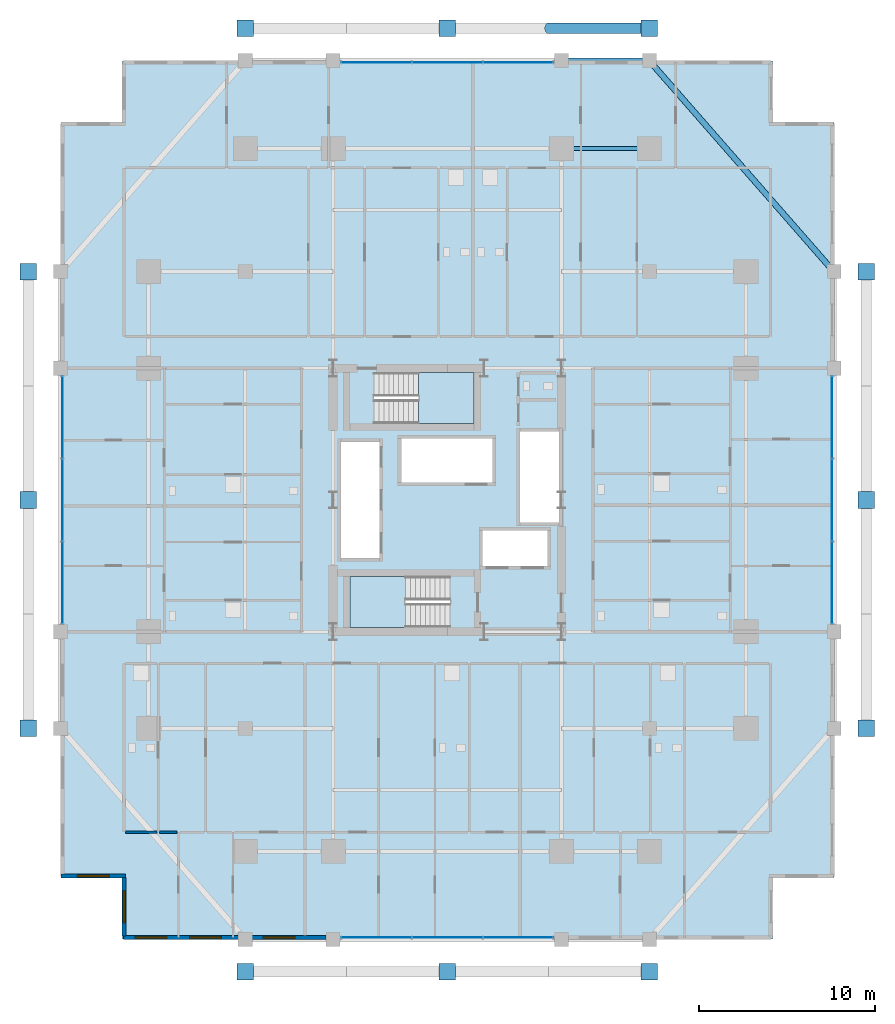
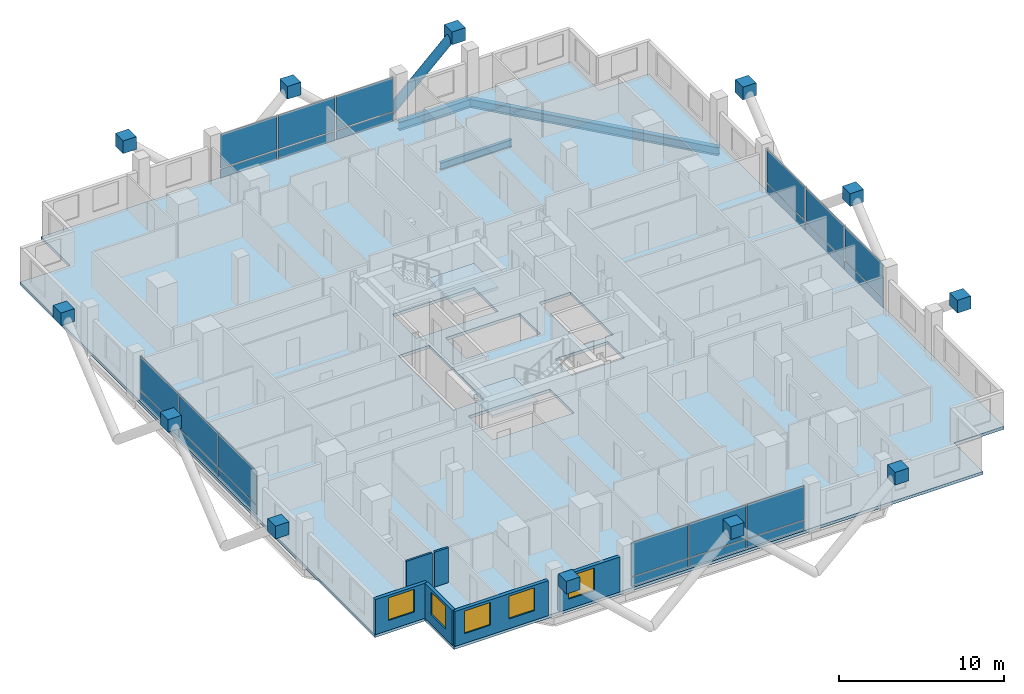
# One storey, part 16 of 24: 36 plates, 6 walls, 5 windows, 3 beams, 3 slabs, 1 member, 5 openings, 6 elements without a shape of their own.
"""IFC4 building model written with IfcOpenShell, lengths in metres."""

import ifcopenshell
import ifcopenshell.guid

model = None  # the IFC model being written
_history = None  # IfcOwnerHistory: only IFC2X3 demands one
_inside = {}  # id of a spatial element -> (the spatial element, [elements in it])
_under = {}  # id of a project, library or spatial element -> (it, [spatial elements below it])
_declared = {}  # id of a project -> (the project, [libraries it declares])
_typed = {}  # id of a type object -> (the type object, [elements of that type])
_made_of = {}  # id of a material, layer set ... -> (it, [elements and type objects made of it])


def new_model(schema):
    """Start an empty IFC model of exactly this schema.

    Asked for "IFC4X3", IfcOpenShell would pick the latest addendum, in which some entities
    have other attributes; the version numbers below select the first issue.
    IFC2X3 requires an IfcOwnerHistory on every rooted entity: one is made here for all.
    """
    global model, _history
    if schema == "IFC4X3":
        model = ifcopenshell.file(schema_version=(4, 3, 0, 0))
    else:
        model = ifcopenshell.file(schema=schema)
    _inside.clear()
    _under.clear()
    _declared.clear()
    _typed.clear()
    _made_of.clear()
    _history = None
    if model.schema == "IFC2X3":
        org = make("IfcOrganization", Name="unknown")
        user = make(
            "IfcPersonAndOrganization",
            ThePerson=make("IfcPerson", FamilyName="unknown"),
            TheOrganization=org,
        )
        app = make(
            "IfcApplication",
            ApplicationDeveloper=org,
            Version="unknown",
            ApplicationFullName="unknown",
            ApplicationIdentifier="unknown",
        )
        _history = make(
            "IfcOwnerHistory",
            OwningUser=user,
            OwningApplication=app,
            ChangeAction="ADDED",
            CreationDate=0,
        )
    return model


def make(cls, **values):
    """One entity of the class cls with the attributes given. An attribute that is None is left unset."""
    return model.create_entity(
        cls, **{name: value for name, value in values.items() if value is not None}
    )


def rooted(cls, **values):
    """An entity with a GlobalId (a new one), such as an element, a storey or a relation."""
    return make(cls, GlobalId=ifcopenshell.guid.new(), OwnerHistory=_history, **values)


def si_unit(unit_type, name, prefix=None):
    """IfcSIUnit, for example si_unit("LENGTHUNIT", "METRE", prefix="MILLI")."""
    return make("IfcSIUnit", UnitType=unit_type, Prefix=prefix, Name=name)


def assignment(units):
    """IfcUnitAssignment: the units of a project."""
    return None if units is None else make("IfcUnitAssignment", Units=units)


def point(xyz):
    """IfcCartesianPoint."""
    return None if xyz is None else make("IfcCartesianPoint", Coordinates=xyz)


def direction(xyz):
    """IfcDirection."""
    return None if xyz is None else make("IfcDirection", DirectionRatios=xyz)


def frame(location, z_axis=None, x_axis=None):
    """IfcAxis2Placement3D, a coordinate frame: its origin and axes. An axis left out is left unset."""
    return make(
        "IfcAxis2Placement3D",
        Location=point(location),
        Axis=direction(z_axis),
        RefDirection=direction(x_axis),
    )


def frame_2d(location, x_axis=None):
    """IfcAxis2Placement2D, a coordinate frame in the plane: its origin and x axis."""
    return make(
        "IfcAxis2Placement2D", Location=point(location), RefDirection=direction(x_axis)
    )


def origin():
    """The frame at (0, 0, 0) with its axes left unset."""
    return frame((0.0, 0.0, 0.0))


def origin_2d():
    """The frame at (0, 0) in the plane with its x axis left unset."""
    return frame_2d((0.0, 0.0))


def place(relative_to, where):
    """IfcLocalPlacement: puts the frame where relative to a parent placement (None: the world)."""
    return make(
        "IfcLocalPlacement", PlacementRelTo=relative_to, RelativePlacement=where
    )


def context(
    kind, dimensions, precision=None, world=None, true_north=None, identifier=None
):
    """IfcGeometricRepresentationContext, for example the 3D "Model" context."""
    return make(
        "IfcGeometricRepresentationContext",
        ContextIdentifier=identifier,
        ContextType=kind,
        CoordinateSpaceDimension=dimensions,
        Precision=precision,
        WorldCoordinateSystem=world,
        TrueNorth=true_north,
    )


def subcontext(parent, identifier, kind, view, scale=None):
    """IfcGeometricRepresentationSubContext, for example "Body" below "Model"."""
    return make(
        "IfcGeometricRepresentationSubContext",
        ContextIdentifier=identifier,
        ContextType=kind,
        ParentContext=parent,
        TargetScale=scale,
        TargetView=view,
    )


def project(units=None, contexts=None):
    """IfcProject with its units and contexts."""
    return rooted(
        "IfcProject",
        Name="project",
        RepresentationContexts=contexts,
        UnitsInContext=assignment(units),
    )


def spatial(cls, under=None, at=None, **own):
    """A site, building, storey or space (cls), placed at a placement, below another one or the project."""
    s = rooted(cls, ObjectPlacement=at, **own)
    if under is not None:
        _under.setdefault(under.id(), (under, []))[1].append(s)
    return s


def polyline(points):
    """IfcPolyline through the points."""
    return make("IfcPolyline", Points=[point(p) for p in points])


def profile(cls, at=None, kind="AREA", **sizes):
    """A parametric profile (cls). Its sizes go by their IFC names, for example OverallWidth=200.0."""
    return make(cls, ProfileType=kind, Position=at, **sizes)


def rectangle(**sizes):
    """IfcRectangleProfileDef."""
    return profile("IfcRectangleProfileDef", **sizes)


def hollow_circle(**sizes):
    """IfcCircleHollowProfileDef."""
    return profile("IfcCircleHollowProfileDef", **sizes)


def i_section(**sizes):
    """IfcIShapeProfileDef."""
    return profile("IfcIShapeProfileDef", **sizes)


def outline(outer, holes=None, kind="AREA"):
    """IfcArbitraryClosedProfileDef: a profile drawn as a closed curve; with holes, ...WithVoids."""
    if holes is None:
        return make("IfcArbitraryClosedProfileDef", ProfileType=kind, OuterCurve=outer)
    return make(
        "IfcArbitraryProfileDefWithVoids",
        ProfileType=kind,
        OuterCurve=outer,
        InnerCurves=holes,
    )


def extrude(swept, where, along, depth):
    """IfcExtrudedAreaSolid: the profile swept, set in the frame where, extruded along a direction by depth."""
    return make(
        "IfcExtrudedAreaSolid",
        SweptArea=swept,
        Position=where,
        ExtrudedDirection=direction(along),
        Depth=depth,
    )


def shape(context_of_items, identifier, shape_type, items):
    """IfcShapeRepresentation: the items that make up one representation, for example the "Body"."""
    return make(
        "IfcShapeRepresentation",
        ContextOfItems=context_of_items,
        RepresentationIdentifier=identifier,
        RepresentationType=shape_type,
        Items=items,
    )


def material(Name=None, Category=None):
    """IfcMaterial."""
    return make("IfcMaterial", Name=Name, Category=Category)


def layer(
    of_material, thickness, ventilated=None, Name=None, Category=None, Priority=None
):
    """IfcMaterialLayer: one layer of a wall or slab, of a material (None: an air gap)."""
    return make(
        "IfcMaterialLayer",
        Material=of_material,
        LayerThickness=thickness,
        IsVentilated=ventilated,
        Name=Name,
        Category=Category,
        Priority=Priority,
    )


def layer_set(layers, Name=None):
    """IfcMaterialLayerSet."""
    return make("IfcMaterialLayerSet", MaterialLayers=layers, LayerSetName=Name)


def material_profile(
    of_material, cross_section, Name=None, Category=None, Priority=None
):
    """IfcMaterialProfile: a cross section and its material."""
    return make(
        "IfcMaterialProfile",
        Name=Name,
        Material=of_material,
        Profile=cross_section,
        Priority=Priority,
        Category=Category,
    )


def profile_set(profiles, Name=None, composite=None):
    """IfcMaterialProfileSet."""
    return make(
        "IfcMaterialProfileSet",
        Name=Name,
        MaterialProfiles=profiles,
        CompositeProfile=composite,
    )


def made_of(thing, what):
    """Note that an element or type object is made of a material, layer set ...; save() writes the relation."""
    if what is not None:
        _made_of.setdefault(what.id(), (what, []))[1].append(thing)
    return thing


def type_object(cls, material=None, **own):
    """A type object (cls), such as IfcWallType, which elements share."""
    return made_of(rooted(cls, **own), material)


def element(
    cls,
    number,
    at=None,
    inside=None,
    cuts=None,
    type_object=None,
    material=None,
    context=None,
    identifier="Body",
    shape_type=None,
    held_by="IfcProductDefinitionShape",
    body=None,
    shapes=None,
    **own,
):
    """One element of the class cls, such as IfcWall. Its Tag is "e" and its number.

    at: its placement. inside: the storey or other place that contains it. cuts: it is an
    opening in that element (IfcRelVoidsElement). A single representation is given by context,
    identifier, shape_type and body (its items); several are given by shapes. held_by: the class
    of the entity that holds the representations. save() writes the other relations.
    """
    e = rooted(cls, Tag="e%d" % number, ObjectPlacement=at, **own)
    if body is not None:
        shapes = [shape(context, identifier, shape_type, body)]
    if shapes is not None:
        e.Representation = make(held_by, Representations=shapes)
    if inside is not None:
        _inside.setdefault(inside.id(), (inside, []))[1].append(e)
    if cuts is not None:
        rooted(
            "IfcRelVoidsElement", RelatingBuildingElement=cuts, RelatedOpeningElement=e
        )
    if type_object is not None:
        _typed.setdefault(type_object.id(), (type_object, []))[1].append(e)
    return made_of(e, material)


def fill(opening, filler):
    """IfcRelFillsElement: the door or window that sits in an opening."""
    return rooted(
        "IfcRelFillsElement",
        RelatingOpeningElement=opening,
        RelatedBuildingElement=filler,
    )


def aggregate(whole, parts):
    """IfcRelAggregates: a whole, such as a stair, and the parts it consists of."""
    return rooted("IfcRelAggregates", RelatingObject=whole, RelatedObjects=parts)


def save(model, path):
    """Write the relations noted so far, then the file.

    IfcRelAggregates (storeys below a building ...), IfcRelContainedInSpatialStructure (elements
    in a storey), IfcRelDefinesByType, IfcRelAssociatesMaterial and IfcRelDeclares: one each for
    every whole, place, type object, material and project.
    """
    for whole, parts in _under.values():
        aggregate(whole, parts)
    for where, things in _inside.values():
        rooted(
            "IfcRelContainedInSpatialStructure",
            RelatedElements=things,
            RelatingStructure=where,
        )
    for kind, things in _typed.values():
        rooted("IfcRelDefinesByType", RelatedObjects=things, RelatingType=kind)
    for what, things in _made_of.values():
        rooted("IfcRelAssociatesMaterial", RelatedObjects=things, RelatingMaterial=what)
    for by, libraries in _declared.values():
        rooted("IfcRelDeclares", RelatingContext=by, RelatedDefinitions=libraries)
    model.write(path)


model = new_model("IFC4")

# Units and contexts
model_context = context("Model", 3, precision=1e-05, world=origin(), true_north=direction((0.0, 1.0)))
body_context = subcontext(model_context, "Body", "Model", "MODEL_VIEW")
ifc_project = project(units=[si_unit("LENGTHUNIT", "METRE"), si_unit("AREAUNIT", "SQUARE_METRE"), si_unit("VOLUMEUNIT", "CUBIC_METRE"), si_unit("PLANEANGLEUNIT", "RADIAN"), si_unit("MASSUNIT", "GRAM", prefix="KILO")], contexts=[model_context])

# Site, building, storey
site_placement = place(None, origin())
site = spatial("IfcSite", under=ifc_project, at=site_placement, CompositionType="ELEMENT")
building_placement = place(site_placement, origin())
building = spatial("IfcBuilding", under=site, at=building_placement, Name="Barlavira Tower and Art Museum", CompositionType="ELEMENT")
storey_placement = place(building_placement, frame((0.0, 0.0, 90.0)))
storey = spatial("IfcBuildingStorey", under=building, at=storey_placement, Name="L22", CompositionType="ELEMENT", Elevation=90.0)

# Member
ifc_material_1 = material(Name="Steel S355", Category="steel")
ifc_material_profile_1 = material_profile(ifc_material_1, hollow_circle(Radius=0.304931640625, WallThickness=0.028076171875, at=origin_2d()), Name="CHS 610.0x28.0")
ifc_profile_set_1 = profile_set([ifc_material_profile_1], Name="Steel S355")
member_type = type_object("IfcMemberType", Name="Pale-Metal Exoskeleton Diagrid Tube CHS 610x28 Steel S355", PredefinedType="BRACE", material=ifc_profile_set_1)
member_placement = place(storey_placement, frame((5.75, 26.85009765625, -1.919921875), z_axis=(0.728950095515, 0.0, 0.684566839869), x_axis=(0.0, 1.0, 0.0)))
element("IfcMember", 1, at=member_placement, inside=storey, type_object=member_type, Name="L22 Exoskeleton Diagrid Tube N", PredefinedType="BRACE", context=body_context, shape_type="SweptSolid", body=[
    extrude(hollow_circle(Radius=0.304931640625, WallThickness=0.028076171875, at=origin_2d()), origin(), (0.0, 0.0, 1.0), 7.887939453125),
])

# Beams
ifc_material_profile_2 = material_profile(ifc_material_1, i_section(OverallWidth=0.327880859375, OverallDepth=0.62890625, WebThickness=0.013916015625, FlangeThickness=0.021484375, at=origin_2d()), Name="W610x174.0")
ifc_profile_set_2 = profile_set([ifc_material_profile_2], Name="Steel S355")
beam_type_1 = type_object("IfcBeamType", Name="Perimeter Spandrel Edge Beam W610x174 Steel S355", PredefinedType="SPANDREL", material=ifc_profile_set_2)
beam_1_placement = place(storey_placement, frame((22.0, 13.0, -0.534423828125), z_axis=(-0.658504607869, 0.752576694707, 0.0), x_axis=(-0.752576694707, -0.658504607869, 0.0)))
element("IfcBeam", 2, at=beam_1_placement, inside=storey, type_object=beam_type_1, Name="L22 Spandrel 8", PredefinedType="SPANDREL", context=body_context, shape_type="SweptSolid", body=[
    extrude(i_section(OverallWidth=0.327880859375, OverallDepth=0.62890625, WebThickness=0.013916015625, FlangeThickness=0.021484375, at=origin_2d()), origin(), (0.0, 0.0, 1.0), 15.9453125),
])
beam_2_placement = place(storey_placement, frame((6.5, 25.0, -0.534423828125), z_axis=(1.0, 0.0, 0.0), x_axis=(0.0, 1.0, 0.0)))
element("IfcBeam", 3, at=beam_2_placement, inside=storey, type_object=beam_type_1, Name="L22 Spandrel 9", PredefinedType="SPANDREL", context=body_context, shape_type="SweptSolid", body=[
    extrude(i_section(OverallWidth=0.327880859375, OverallDepth=0.62890625, WebThickness=0.013916015625, FlangeThickness=0.021484375, at=origin_2d()), origin(), (0.0, 0.0, 1.0), 5.0),
])
ifc_material_profile_3 = material_profile(ifc_material_1, i_section(OverallWidth=0.214111328125, OverallDepth=0.549072265625, WebThickness=0.0146484375, FlangeThickness=0.023681640625, at=origin_2d()), Name="W530x138.0")
ifc_profile_set_3 = profile_set([ifc_material_profile_3], Name="Steel S355")
beam_type_2 = type_object("IfcBeamType", Name="Zone 1 Primary Floor Girder W530x138 Steel S355", PredefinedType="BEAM", material=ifc_profile_set_3)
beam_3_placement = place(storey_placement, frame((6.5, 20.0, -0.494384765625), z_axis=(1.0, 0.0, 0.0), x_axis=(0.0, 1.0, 0.0)))
element("IfcBeam", 4, at=beam_3_placement, inside=storey, type_object=beam_type_2, Name="L22 Girder M-N3", PredefinedType="BEAM", context=body_context, shape_type="SweptSolid", body=[
    extrude(i_section(OverallWidth=0.214111328125, OverallDepth=0.549072265625, WebThickness=0.0146484375, FlangeThickness=0.023681640625, at=origin_2d()), origin(), (0.0, 0.0, 1.0), 5.0),
])

# Curtain wall, plates
ifc_material_2 = material(Name="Low-iron coastal laminated glass", Category="glass")
ifc_layer_1 = layer(ifc_material_2, 0.179931640625, Name="Low-iron coastal laminated glass")
ifc_layer_set_1 = layer_set([ifc_layer_1], Name="Low-iron coastal laminated glass")
curtain_wall_type = type_object("IfcCurtainWallType", Name="Pale-Metal Unitised Curtain Wall Zone 1", PredefinedType="NOTDEFINED", material=ifc_layer_set_1)
curtain_wall_1_placement = place(storey_placement, origin())
curtain_wall_1 = element("IfcCurtainWall", 5, at=curtain_wall_1_placement, inside=storey, type_object=curtain_wall_type, Name="L22 Curtain Wall CW1-L22-S-B3", PredefinedType="NOTDEFINED")
ifc_material_3 = material(Name="Pale anodised aluminium", Category="aluminium")
ifc_layer_2 = layer(ifc_material_3, 0.044921875, Name="Pale anodised aluminium")
ifc_layer_set_2 = layer_set([ifc_layer_2], Name="Pale anodised aluminium")
plate_type_1 = type_object("IfcPlateType", Name="Curtain Wall Pale-Metal Spandrel Panel 45", PredefinedType="CURTAIN_PANEL", material=ifc_layer_set_2)
plate_1_placement = place(storey_placement, frame((-4.05322265625, -24.89990234375, 0.0400390625), z_axis=(0.0, 0.0, 1.0), x_axis=(1.0, 0.0, 0.0)))
plate_1 = element("IfcPlate", 6, at=plate_1_placement, type_object=plate_type_1, Name="CW1-L22-S-B3 Spandrel Panel 0", PredefinedType="CURTAIN_PANEL", context=body_context, shape_type="SweptSolid", body=[
    extrude(rectangle(XDim=3.953369140625, YDim=0.044921875, at=origin_2d()), origin(), (0.0, 0.0, 1.0), 0.64599609375),
])
plate_2_placement = place(storey_placement, frame((0.0, -24.89990234375, 0.0400390625), z_axis=(0.0, 0.0, 1.0), x_axis=(1.0, 0.0, 0.0)))
plate_2 = element("IfcPlate", 7, at=plate_2_placement, type_object=plate_type_1, Name="CW1-L22-S-B3 Spandrel Panel 1", PredefinedType="CURTAIN_PANEL", context=body_context, shape_type="SweptSolid", body=[
    extrude(rectangle(XDim=3.953369140625, YDim=0.044921875, at=origin_2d()), origin(), (0.0, 0.0, 1.0), 0.64599609375),
])
plate_3_placement = place(storey_placement, frame((4.05322265625, -24.89990234375, 0.0400390625), z_axis=(0.0, 0.0, 1.0), x_axis=(1.0, 0.0, 0.0)))
plate_3 = element("IfcPlate", 8, at=plate_3_placement, type_object=plate_type_1, Name="CW1-L22-S-B3 Spandrel Panel 2", PredefinedType="CURTAIN_PANEL", context=body_context, shape_type="SweptSolid", body=[
    extrude(rectangle(XDim=3.953369140625, YDim=0.044921875, at=origin_2d()), origin(), (0.0, 0.0, 1.0), 0.64599609375),
])

curtain_wall_2_placement = place(storey_placement, origin())
curtain_wall_2 = element("IfcCurtainWall", 9, at=curtain_wall_2_placement, inside=storey, type_object=curtain_wall_type, Name="L22 Curtain Wall CW1-L22-N-B3", PredefinedType="NOTDEFINED")
plate_4_placement = place(storey_placement, frame((4.05322265625, 24.89990234375, 0.0400390625), z_axis=(0.0, 0.0, 1.0), x_axis=(-1.0, 0.0, 0.0)))
plate_4 = element("IfcPlate", 10, at=plate_4_placement, type_object=plate_type_1, Name="CW1-L22-N-B3 Spandrel Panel 0", PredefinedType="CURTAIN_PANEL", context=body_context, shape_type="SweptSolid", body=[
    extrude(rectangle(XDim=3.953369140625, YDim=0.044921875, at=origin_2d()), origin(), (0.0, 0.0, 1.0), 0.64599609375),
])
plate_5_placement = place(storey_placement, frame((0.0, 24.89990234375, 0.0400390625), z_axis=(0.0, 0.0, 1.0), x_axis=(-1.0, 0.0, 0.0)))
plate_5 = element("IfcPlate", 11, at=plate_5_placement, type_object=plate_type_1, Name="CW1-L22-N-B3 Spandrel Panel 1", PredefinedType="CURTAIN_PANEL", context=body_context, shape_type="SweptSolid", body=[
    extrude(rectangle(XDim=3.953369140625, YDim=0.044921875, at=origin_2d()), origin(), (0.0, 0.0, 1.0), 0.64599609375),
])
plate_6_placement = place(storey_placement, frame((-4.05322265625, 24.89990234375, 0.0400390625), z_axis=(0.0, 0.0, 1.0), x_axis=(-1.0, 0.0, 0.0)))
plate_6 = element("IfcPlate", 12, at=plate_6_placement, type_object=plate_type_1, Name="CW1-L22-N-B3 Spandrel Panel 2", PredefinedType="CURTAIN_PANEL", context=body_context, shape_type="SweptSolid", body=[
    extrude(rectangle(XDim=3.953369140625, YDim=0.044921875, at=origin_2d()), origin(), (0.0, 0.0, 1.0), 0.64599609375),
])

curtain_wall_3_placement = place(storey_placement, origin())
curtain_wall_3 = element("IfcCurtainWall", 13, at=curtain_wall_3_placement, inside=storey, type_object=curtain_wall_type, Name="L22 Curtain Wall CW1-L22-W-B3", PredefinedType="NOTDEFINED")
plate_7_placement = place(storey_placement, frame((-21.89990234375, 4.719970703125, 0.0400390625), z_axis=(0.0, 0.0, 1.0), x_axis=(0.0, -1.0, 0.0)))
plate_7 = element("IfcPlate", 14, at=plate_7_placement, type_object=plate_type_1, Name="CW1-L22-W-B3 Spandrel Panel 0", PredefinedType="CURTAIN_PANEL", context=body_context, shape_type="SweptSolid", body=[
    extrude(rectangle(XDim=4.6201171875, YDim=0.044921875, at=origin_2d()), origin(), (0.0, 0.0, 1.0), 0.64599609375),
])
plate_8_placement = place(storey_placement, frame((-21.89990234375, 0.0, 0.0400390625), z_axis=(0.0, 0.0, 1.0), x_axis=(0.0, -1.0, 0.0)))
plate_8 = element("IfcPlate", 15, at=plate_8_placement, type_object=plate_type_1, Name="CW1-L22-W-B3 Spandrel Panel 1", PredefinedType="CURTAIN_PANEL", context=body_context, shape_type="SweptSolid", body=[
    extrude(rectangle(XDim=4.6201171875, YDim=0.044921875, at=origin_2d()), origin(), (0.0, 0.0, 1.0), 0.64599609375),
])
plate_9_placement = place(storey_placement, frame((-21.89990234375, -4.719970703125, 0.0400390625), z_axis=(0.0, 0.0, 1.0), x_axis=(0.0, -1.0, 0.0)))
plate_9 = element("IfcPlate", 16, at=plate_9_placement, type_object=plate_type_1, Name="CW1-L22-W-B3 Spandrel Panel 2", PredefinedType="CURTAIN_PANEL", context=body_context, shape_type="SweptSolid", body=[
    extrude(rectangle(XDim=4.6201171875, YDim=0.044921875, at=origin_2d()), origin(), (0.0, 0.0, 1.0), 0.64599609375),
])

curtain_wall_4_placement = place(storey_placement, origin())
curtain_wall_4 = element("IfcCurtainWall", 17, at=curtain_wall_4_placement, inside=storey, type_object=curtain_wall_type, Name="L22 Curtain Wall CW1-L22-E-B3", PredefinedType="NOTDEFINED")
plate_10_placement = place(storey_placement, frame((21.89990234375, -4.719970703125, 0.0400390625), z_axis=(0.0, 0.0, 1.0), x_axis=(0.0, 1.0, 0.0)))
plate_10 = element("IfcPlate", 18, at=plate_10_placement, type_object=plate_type_1, Name="CW1-L22-E-B3 Spandrel Panel 0", PredefinedType="CURTAIN_PANEL", context=body_context, shape_type="SweptSolid", body=[
    extrude(rectangle(XDim=4.6201171875, YDim=0.044921875, at=origin_2d()), origin(), (0.0, 0.0, 1.0), 0.64599609375),
])
plate_11_placement = place(storey_placement, frame((21.89990234375, 0.0, 0.0400390625), z_axis=(0.0, 0.0, 1.0), x_axis=(0.0, 1.0, 0.0)))
plate_11 = element("IfcPlate", 19, at=plate_11_placement, type_object=plate_type_1, Name="CW1-L22-E-B3 Spandrel Panel 1", PredefinedType="CURTAIN_PANEL", context=body_context, shape_type="SweptSolid", body=[
    extrude(rectangle(XDim=4.6201171875, YDim=0.044921875, at=origin_2d()), origin(), (0.0, 0.0, 1.0), 0.64599609375),
])
plate_12_placement = place(storey_placement, frame((21.89990234375, 4.719970703125, 0.0400390625), z_axis=(0.0, 0.0, 1.0), x_axis=(0.0, 1.0, 0.0)))
plate_12 = element("IfcPlate", 20, at=plate_12_placement, type_object=plate_type_1, Name="CW1-L22-E-B3 Spandrel Panel 2", PredefinedType="CURTAIN_PANEL", context=body_context, shape_type="SweptSolid", body=[
    extrude(rectangle(XDim=4.6201171875, YDim=0.044921875, at=origin_2d()), origin(), (0.0, 0.0, 1.0), 0.64599609375),
])

# Plate
ifc_layer_3 = layer(ifc_material_2, 0.028076171875, Name="Low-iron coastal laminated glass")
ifc_layer_set_3 = layer_set([ifc_layer_3], Name="Low-iron coastal laminated glass")
plate_type_2 = type_object("IfcPlateType", Name="Curtain Wall Vision Glazing Panel 28", PredefinedType="CURTAIN_PANEL", material=ifc_layer_set_3)
plate_13_placement = place(storey_placement, frame((-4.05322265625, -24.89990234375, 0.76611328125), z_axis=(0.0, 0.0, 1.0), x_axis=(1.0, 0.0, 0.0)))
plate_13 = element("IfcPlate", 21, at=plate_13_placement, type_object=plate_type_2, Name="CW1-L22-S-B3 Vision Glass Panel 0", PredefinedType="CURTAIN_PANEL", context=body_context, shape_type="SweptSolid", body=[
    extrude(rectangle(XDim=3.953369140625, YDim=0.028076171875, at=origin_2d()), origin(), (0.0, 0.0, 1.0), 2.493896484375),
])

plate_14_placement = place(storey_placement, frame((0.0, -24.89990234375, 0.76611328125), z_axis=(0.0, 0.0, 1.0), x_axis=(1.0, 0.0, 0.0)))
plate_14 = element("IfcPlate", 22, at=plate_14_placement, type_object=plate_type_2, Name="CW1-L22-S-B3 Vision Glass Panel 1", PredefinedType="CURTAIN_PANEL", context=body_context, shape_type="SweptSolid", body=[
    extrude(rectangle(XDim=3.953369140625, YDim=0.028076171875, at=origin_2d()), origin(), (0.0, 0.0, 1.0), 2.493896484375),
])

plate_15_placement = place(storey_placement, frame((4.05322265625, -24.89990234375, 0.76611328125), z_axis=(0.0, 0.0, 1.0), x_axis=(1.0, 0.0, 0.0)))
plate_15 = element("IfcPlate", 23, at=plate_15_placement, type_object=plate_type_2, Name="CW1-L22-S-B3 Vision Glass Panel 2", PredefinedType="CURTAIN_PANEL", context=body_context, shape_type="SweptSolid", body=[
    extrude(rectangle(XDim=3.953369140625, YDim=0.028076171875, at=origin_2d()), origin(), (0.0, 0.0, 1.0), 2.493896484375),
])

aggregate(curtain_wall_1, [plate_1, plate_13, plate_2, plate_14, plate_3, plate_15])

plate_16_placement = place(storey_placement, frame((4.05322265625, 24.89990234375, 0.76611328125), z_axis=(0.0, 0.0, 1.0), x_axis=(-1.0, 0.0, 0.0)))
plate_16 = element("IfcPlate", 24, at=plate_16_placement, type_object=plate_type_2, Name="CW1-L22-N-B3 Vision Glass Panel 0", PredefinedType="CURTAIN_PANEL", context=body_context, shape_type="SweptSolid", body=[
    extrude(rectangle(XDim=3.953369140625, YDim=0.028076171875, at=origin_2d()), origin(), (0.0, 0.0, 1.0), 2.493896484375),
])

plate_17_placement = place(storey_placement, frame((0.0, 24.89990234375, 0.76611328125), z_axis=(0.0, 0.0, 1.0), x_axis=(-1.0, 0.0, 0.0)))
plate_17 = element("IfcPlate", 25, at=plate_17_placement, type_object=plate_type_2, Name="CW1-L22-N-B3 Vision Glass Panel 1", PredefinedType="CURTAIN_PANEL", context=body_context, shape_type="SweptSolid", body=[
    extrude(rectangle(XDim=3.953369140625, YDim=0.028076171875, at=origin_2d()), origin(), (0.0, 0.0, 1.0), 2.493896484375),
])

plate_18_placement = place(storey_placement, frame((-4.05322265625, 24.89990234375, 0.76611328125), z_axis=(0.0, 0.0, 1.0), x_axis=(-1.0, 0.0, 0.0)))
plate_18 = element("IfcPlate", 26, at=plate_18_placement, type_object=plate_type_2, Name="CW1-L22-N-B3 Vision Glass Panel 2", PredefinedType="CURTAIN_PANEL", context=body_context, shape_type="SweptSolid", body=[
    extrude(rectangle(XDim=3.953369140625, YDim=0.028076171875, at=origin_2d()), origin(), (0.0, 0.0, 1.0), 2.493896484375),
])

aggregate(curtain_wall_2, [plate_4, plate_16, plate_5, plate_17, plate_6, plate_18])

plate_19_placement = place(storey_placement, frame((-21.89990234375, 4.719970703125, 0.76611328125), z_axis=(0.0, 0.0, 1.0), x_axis=(0.0, -1.0, 0.0)))
plate_19 = element("IfcPlate", 27, at=plate_19_placement, type_object=plate_type_2, Name="CW1-L22-W-B3 Vision Glass Panel 0", PredefinedType="CURTAIN_PANEL", context=body_context, shape_type="SweptSolid", body=[
    extrude(rectangle(XDim=4.6201171875, YDim=0.028076171875, at=origin_2d()), origin(), (0.0, 0.0, 1.0), 2.493896484375),
])

plate_20_placement = place(storey_placement, frame((-21.89990234375, 0.0, 0.76611328125), z_axis=(0.0, 0.0, 1.0), x_axis=(0.0, -1.0, 0.0)))
plate_20 = element("IfcPlate", 28, at=plate_20_placement, type_object=plate_type_2, Name="CW1-L22-W-B3 Vision Glass Panel 1", PredefinedType="CURTAIN_PANEL", context=body_context, shape_type="SweptSolid", body=[
    extrude(rectangle(XDim=4.6201171875, YDim=0.028076171875, at=origin_2d()), origin(), (0.0, 0.0, 1.0), 2.493896484375),
])

plate_21_placement = place(storey_placement, frame((-21.89990234375, -4.719970703125, 0.76611328125), z_axis=(0.0, 0.0, 1.0), x_axis=(0.0, -1.0, 0.0)))
plate_21 = element("IfcPlate", 29, at=plate_21_placement, type_object=plate_type_2, Name="CW1-L22-W-B3 Vision Glass Panel 2", PredefinedType="CURTAIN_PANEL", context=body_context, shape_type="SweptSolid", body=[
    extrude(rectangle(XDim=4.6201171875, YDim=0.028076171875, at=origin_2d()), origin(), (0.0, 0.0, 1.0), 2.493896484375),
])

aggregate(curtain_wall_3, [plate_7, plate_19, plate_8, plate_20, plate_9, plate_21])

plate_22_placement = place(storey_placement, frame((21.89990234375, -4.719970703125, 0.76611328125), z_axis=(0.0, 0.0, 1.0), x_axis=(0.0, 1.0, 0.0)))
plate_22 = element("IfcPlate", 30, at=plate_22_placement, type_object=plate_type_2, Name="CW1-L22-E-B3 Vision Glass Panel 0", PredefinedType="CURTAIN_PANEL", context=body_context, shape_type="SweptSolid", body=[
    extrude(rectangle(XDim=4.6201171875, YDim=0.028076171875, at=origin_2d()), origin(), (0.0, 0.0, 1.0), 2.493896484375),
])

plate_23_placement = place(storey_placement, frame((21.89990234375, 0.0, 0.76611328125), z_axis=(0.0, 0.0, 1.0), x_axis=(0.0, 1.0, 0.0)))
plate_23 = element("IfcPlate", 31, at=plate_23_placement, type_object=plate_type_2, Name="CW1-L22-E-B3 Vision Glass Panel 1", PredefinedType="CURTAIN_PANEL", context=body_context, shape_type="SweptSolid", body=[
    extrude(rectangle(XDim=4.6201171875, YDim=0.028076171875, at=origin_2d()), origin(), (0.0, 0.0, 1.0), 2.493896484375),
])

plate_24_placement = place(storey_placement, frame((21.89990234375, 4.719970703125, 0.76611328125), z_axis=(0.0, 0.0, 1.0), x_axis=(0.0, 1.0, 0.0)))
plate_24 = element("IfcPlate", 32, at=plate_24_placement, type_object=plate_type_2, Name="CW1-L22-E-B3 Vision Glass Panel 2", PredefinedType="CURTAIN_PANEL", context=body_context, shape_type="SweptSolid", body=[
    extrude(rectangle(XDim=4.6201171875, YDim=0.028076171875, at=origin_2d()), origin(), (0.0, 0.0, 1.0), 2.493896484375),
])

aggregate(curtain_wall_4, [plate_10, plate_22, plate_11, plate_23, plate_12, plate_24])

# Plates
ifc_layer_4 = layer(ifc_material_1, 0.93994140625, Name="Steel S355")
ifc_layer_set_4 = layer_set([ifc_layer_4], Name="Steel S355")
plate_type_3 = type_object("IfcPlateType", Name="Exoskeleton Solid Steel Node Cap Plate Assembly Type 1 Steel S355", PredefinedType="USERDEFINED", material=ifc_layer_set_4)
for number, where, z_axis, x_axis, name in (
    (33, (-11.5, -26.85009765625, 3.010009765625), (0.0, 0.0, 1.0), (1.0, 0.0, 0.0), "Exoskeleton Node S ND-L22-0173"),
    (34, (0.0, -26.85009765625, 3.010009765625), (0.0, 0.0, 1.0), (1.0, 0.0, 0.0), "Exoskeleton Node S ND-L22-0174"),
    (35, (11.5, -26.85009765625, 3.010009765625), (0.0, 0.0, 1.0), (1.0, 0.0, 0.0), "Exoskeleton Node S ND-L22-0175"),
    (36, (-11.5, 26.85009765625, 3.010009765625), (0.0, 0.0, 1.0), (1.0, 0.0, 0.0), "Exoskeleton Node N ND-L22-0181"),
    (37, (0.0, 26.85009765625, 3.010009765625), (0.0, 0.0, 1.0), (1.0, 0.0, 0.0), "Exoskeleton Node N ND-L22-0182"),
    (38, (11.5, 26.85009765625, 3.010009765625), (0.0, 0.0, 1.0), (1.0, 0.0, 0.0), "Exoskeleton Node N ND-L22-0183"),
    (39, (-23.85009765625, -13.0, 3.010009765625), (0.0, 0.0, 1.0), (1.0, 0.0, 0.0), "Exoskeleton Node W ND-L22-0189"),
    (40, (-23.85009765625, 0.0, 3.010009765625), (0.0, 0.0, 1.0), (1.0, 0.0, 0.0), "Exoskeleton Node W ND-L22-0190"),
    (41, (-23.85009765625, 13.0, 3.010009765625), (0.0, 0.0, 1.0), (1.0, 0.0, 0.0), "Exoskeleton Node W ND-L22-0191"),
    (42, (23.85009765625, -13.0, 3.010009765625), (0.0, 0.0, 1.0), (1.0, 0.0, 0.0), "Exoskeleton Node E ND-L22-0197"),
    (43, (23.85009765625, 0.0, 3.010009765625), (0.0, 0.0, 1.0), (1.0, 0.0, 0.0), "Exoskeleton Node E ND-L22-0198"),
    (44, (23.85009765625, 13.0, 3.010009765625), (0.0, 0.0, 1.0), (1.0, 0.0, 0.0), "Exoskeleton Node E ND-L22-0199"),
):
    element("IfcPlate", number, at=place(storey_placement, frame(where, z_axis=z_axis, x_axis=x_axis)), inside=storey, type_object=plate_type_3, Name=name, ObjectType="FLANGE_PLATE", PredefinedType="USERDEFINED", context=body_context, shape_type="SweptSolid", body=[
        extrude(rectangle(XDim=0.93994140625, YDim=0.93994140625, at=origin_2d()), origin(), (0.0, 0.0, 1.0), 0.93994140625),
    ])

# Stair, slab
ifc_material_4 = material(Name="Concrete C45", Category="concrete")
stair_type_1 = type_object("IfcStairType", Name="Tower North Dog-Leg Exit Stair Assembly Concrete C45", PredefinedType="TWO_QUARTER_TURN_STAIR", material=ifc_material_4)
stair_1_placement = place(storey_placement, origin())
stair_1 = element("IfcStair", 45, at=stair_1_placement, inside=storey, type_object=stair_type_1, Name="L22 Tower North Exit Stair ST-T2", PredefinedType="TWO_QUARTER_TURN_STAIR")
ifc_layer_5 = layer(ifc_material_4, 0.199951171875, Name="Concrete C45")
ifc_layer_set_5 = layer_set([ifc_layer_5], Name="Concrete C45")
slab_type_1 = type_object("IfcSlabType", Name="Tower North Dog-Leg Exit Stair Half-Landing Slab 200 Concrete C45", PredefinedType="LANDING", material=ifc_layer_set_5)
slab_1_placement = place(storey_placement, frame((0.0, 0.0, 1.60009765625)))
slab_1 = element("IfcSlab", 46, at=slab_1_placement, type_object=slab_type_1, Name="ST-T2 landing 1", PredefinedType="LANDING", context=body_context, shape_type="SweptSolid", body=[
    extrude(outline(polyline([(-1.64990234375, 4.35009765625), (1.530029296875, 4.35009765625), (1.530029296875, 7.25), (-1.64990234375, 7.25), (-1.64990234375, 4.35009765625)])), origin(), (0.0, 0.0, 1.0), 0.199951171875),
])
aggregate(stair_1, [slab_1])

stair_type_2 = type_object("IfcStairType", Name="Tower South Dog-Leg Exit Stair Assembly Concrete C45", PredefinedType="TWO_QUARTER_TURN_STAIR", material=ifc_material_4)
stair_2_placement = place(storey_placement, origin())
stair_2 = element("IfcStair", 47, at=stair_2_placement, inside=storey, type_object=stair_type_2, Name="L22 Tower South Exit Stair ST-T1", PredefinedType="TWO_QUARTER_TURN_STAIR")
ifc_layer_6 = layer(ifc_material_4, 0.199951171875, Name="Concrete C45")
ifc_layer_set_6 = layer_set([ifc_layer_6], Name="Concrete C45")
slab_type_2 = type_object("IfcSlabType", Name="Tower South Dog-Leg Exit Stair Half-Landing Slab 200 Concrete C45", PredefinedType="LANDING", material=ifc_layer_set_6)
slab_2_placement = place(storey_placement, frame((0.0, 0.0, 1.60009765625)))
slab_2 = element("IfcSlab", 48, at=slab_2_placement, type_object=slab_type_2, Name="ST-T1 landing 1", PredefinedType="LANDING", context=body_context, shape_type="SweptSolid", body=[
    extrude(outline(polyline([(-2.3701171875, -4.35009765625), (-5.550048828125, -4.35009765625), (-5.550048828125, -7.25), (-2.3701171875, -7.25), (-2.3701171875, -4.35009765625)])), origin(), (0.0, 0.0, 1.0), 0.199951171875),
])
aggregate(stair_2, [slab_2])

# Slab
ifc_material_5 = material(Name="Concrete C50", Category="concrete")
ifc_layer_7 = layer(ifc_material_5, 0.219970703125, Name="Concrete C50")
ifc_layer_set_7 = layer_set([ifc_layer_7], Name="Concrete C50")
slab_type_3 = type_object("IfcSlabType", Name="Zone 1 Residential Composite Slab 220 Concrete C50", PredefinedType="FLOOR", material=ifc_layer_set_7)
slab_3_placement = place(storey_placement, frame((0.0, 0.0, -0.219970703125)))
element("IfcSlab", 49, at=slab_3_placement, inside=storey, type_object=slab_type_3, Name="L22 Tower Floor Slab", PredefinedType="FLOOR", context=body_context, shape_type="SweptSolid", body=[
    extrude(outline(polyline([(-18.5, -25.0), (18.5, -25.0), (18.5, -21.5), (22.0, -21.5), (22.0, 21.5), (18.5, 21.5), (18.5, 25.0), (-18.5, 25.0), (-18.5, 21.5), (-22.0, 21.5), (-22.0, -21.5), (-18.5, -21.5), (-18.5, -25.0)]), holes=[polyline([(0.14990234375, -4.35009765625), (-5.550048828125, -4.35009765625), (-5.550048828125, -7.25), (0.14990234375, -7.25), (0.14990234375, -4.35009765625)]), polyline([(-4.169921875, 4.35009765625), (1.530029296875, 4.35009765625), (1.530029296875, 7.25), (-4.169921875, 7.25), (-4.169921875, 4.35009765625)]), polyline([(-6.050048828125, -3.31005859375), (-3.85009765625, -3.31005859375), (-3.85009765625, 3.31005859375), (-6.050048828125, 3.31005859375), (-6.050048828125, -3.31005859375)]), polyline([(4.14990234375, -1.2900390625), (6.35009765625, -1.2900390625), (6.35009765625, 3.889892578125), (4.14990234375, 3.889892578125), (4.14990234375, -1.2900390625)]), polyline([(-2.6201171875, 1.0), (2.56005859375, 1.0), (2.56005859375, 3.5), (-2.6201171875, 3.5), (-2.6201171875, 1.0)]), polyline([(2.0, -3.75), (5.699951171875, -3.75), (5.699951171875, -1.75), (2.0, -1.75), (2.0, -3.75)])]), origin(), (0.0, 0.0, 1.0), 0.219970703125),
])

# Walls
ifc_material_6 = material(Name="Gypsum acoustic stud partition", Category="gypsum")
ifc_layer_8 = layer(ifc_material_6, 0.139892578125, Name="Gypsum acoustic stud partition")
ifc_layer_set_8 = layer_set([ifc_layer_8], Name="Gypsum acoustic stud partition")
wall_type_1 = type_object("IfcWallType", Name="Moisture-Resistant Bathroom Partition 140", PredefinedType="PARTITIONING", material=ifc_layer_set_8)
wall_1_placement = place(storey_placement, frame((-18.320068359375, -18.89990234375, 0.0), z_axis=(0.0, 0.0, 1.0), x_axis=(1.0, 0.0, 0.0)))
element("IfcWall", 50, at=wall_1_placement, inside=storey, type_object=wall_type_1, Name="L22 Partition Wall 33", PredefinedType="PARTITIONING", context=body_context, shape_type="SweptSolid", body=[
    extrude(rectangle(XDim=1.7900390625, YDim=0.139892578125, at=frame_2d((0.89501953125, 0.0))), origin(), (0.0, 0.0, 1.0), 2.590087890625),
])
wall_2_placement = place(storey_placement, frame((-16.3701171875, -18.89990234375, 0.0), z_axis=(0.0, 0.0, 1.0), x_axis=(1.0, 0.0, 0.0)))
element("IfcWall", 51, at=wall_2_placement, inside=storey, type_object=wall_type_1, Name="L22 Partition Wall 34", PredefinedType="PARTITIONING", context=body_context, shape_type="SweptSolid", body=[
    extrude(rectangle(XDim=0.990234375, YDim=0.139892578125, at=frame_2d((0.4951171875, 0.0))), origin(), (0.0, 0.0, 1.0), 2.590087890625),
])

# Wall, openings, windows
ifc_material_7 = material(Name="Precast concrete C40", Category="concrete")
ifc_layer_9 = layer(ifc_material_7, 0.25, Name="Precast concrete C40")
ifc_layer_set_9 = layer_set([ifc_layer_9], Name="Precast concrete C40")
wall_type_2 = type_object("IfcWallType", Name="Notched Corner Spandrel Wall 250 Precast Concrete C40", PredefinedType="SOLIDWALL", material=ifc_layer_set_9)
wall_3_placement = place(storey_placement, frame((-18.425048828125, -24.89990234375, 0.0), z_axis=(0.0, 0.0, 1.0), x_axis=(1.0, 0.0, 0.0)))
wall_3 = element("IfcWall", 52, at=wall_3_placement, inside=storey, type_object=wall_type_2, Name="L22 Coastal Facade Pier Wall CW1-L22-S-1", PredefinedType="SOLIDWALL", context=body_context, shape_type="SweptSolid", body=[
    extrude(rectangle(XDim=6.530029296875, YDim=0.25, at=frame_2d((3.26513671875, 0.0))), origin(), (0.0, 0.0, 1.0), 2.590087890625),
])
opening_1_placement = place(wall_3_placement, frame((0.656982421875, 0.0, 0.719970703125)))
opening_1 = element("IfcOpeningElement", 53, at=opening_1_placement, cuts=wall_3, Name="Opening WN-01", PredefinedType="OPENING", context=body_context, shape_type="SweptSolid", body=[
    extrude(rectangle(XDim=1.800048828125, YDim=1.679931640625, at=frame_2d((0.89990234375, 0.83984375))), frame((0.0, 0.135009765625, 0.0), z_axis=(0.0, -1.0, 0.0), x_axis=(1.0, 0.0, 0.0)), (0.0, 0.0, 1.0), 0.27001953125),
])
opening_2_placement = place(wall_3_placement, frame((3.760009765625, 0.0, 0.719970703125)))
opening_2 = element("IfcOpeningElement", 54, at=opening_2_placement, cuts=wall_3, Name="Opening WN-01", PredefinedType="OPENING", context=body_context, shape_type="SweptSolid", body=[
    extrude(rectangle(XDim=1.800048828125, YDim=1.679931640625, at=frame_2d((0.89990234375, 0.83984375))), frame((0.0, 0.135009765625, 0.0), z_axis=(0.0, -1.0, 0.0), x_axis=(1.0, 0.0, 0.0)), (0.0, 0.0, 1.0), 0.27001953125),
])
window_type = type_object("IfcWindowType", Name="Recessed Notch Corner Punch Window 1800x1680", PartitioningType="SINGLE_PANEL", PredefinedType="WINDOW", material=ifc_material_2)
window_1_placement = place(opening_1_placement, origin())
window_1 = element("IfcWindow", 55, at=window_1_placement, inside=storey, type_object=window_type, Name="L22 Punched Facade Window EWP-CW1-L22-S-1-1", OverallHeight=1.679931640625, OverallWidth=1.800048828125, PartitioningType="SINGLE_PANEL", PredefinedType="WINDOW", context=body_context, shape_type="SweptSolid", body=[
    extrude(rectangle(XDim=1.800048828125, YDim=1.679931640625, at=frame_2d((0.89990234375, 0.83984375))), frame((0.0, 0.030029296875, 0.0), z_axis=(0.0, -1.0, 0.0), x_axis=(1.0, 0.0, 0.0)), (0.0, 0.0, 1.0), 0.06005859375),
])
fill(opening_1, window_1)
window_2_placement = place(opening_2_placement, origin())
window_2 = element("IfcWindow", 56, at=window_2_placement, inside=storey, type_object=window_type, Name="L22 Punched Facade Window EWP-CW1-L22-S-1-2", OverallHeight=1.679931640625, OverallWidth=1.800048828125, PartitioningType="SINGLE_PANEL", PredefinedType="WINDOW", context=body_context, shape_type="SweptSolid", body=[
    extrude(rectangle(XDim=1.800048828125, YDim=1.679931640625, at=frame_2d((0.89990234375, 0.83984375))), frame((0.0, 0.030029296875, 0.0), z_axis=(0.0, -1.0, 0.0), x_axis=(1.0, 0.0, 0.0)), (0.0, 0.0, 1.0), 0.06005859375),
])
fill(opening_2, window_2)

# Wall, opening, window
wall_4_placement = place(storey_placement, frame((-11.10498046875, -24.89990234375, 0.0), z_axis=(0.0, 0.0, 1.0), x_axis=(1.0, 0.0, 0.0)))
wall_4 = element("IfcWall", 57, at=wall_4_placement, inside=storey, type_object=wall_type_2, Name="L22 Coastal Facade Pier Wall CW1-L22-S-2", PredefinedType="SOLIDWALL", context=body_context, shape_type="SweptSolid", body=[
    extrude(rectangle(XDim=4.2099609375, YDim=0.25, at=frame_2d((2.10498046875, 0.0))), origin(), (0.0, 0.0, 1.0), 2.590087890625),
])
opening_3_placement = place(wall_4_placement, frame((0.625, 0.0, 0.719970703125)))
opening_3 = element("IfcOpeningElement", 58, at=opening_3_placement, cuts=wall_4, Name="Opening WN-01", PredefinedType="OPENING", context=body_context, shape_type="SweptSolid", body=[
    extrude(rectangle(XDim=1.800048828125, YDim=1.679931640625, at=frame_2d((0.89990234375, 0.83984375))), frame((0.0, 0.135009765625, 0.0), z_axis=(0.0, -1.0, 0.0), x_axis=(1.0, 0.0, 0.0)), (0.0, 0.0, 1.0), 0.27001953125),
])
window_3_placement = place(opening_3_placement, origin())
window_3 = element("IfcWindow", 59, at=window_3_placement, inside=storey, type_object=window_type, Name="L22 Punched Facade Window EWP-CW1-L22-S-2-1", OverallHeight=1.679931640625, OverallWidth=1.800048828125, PartitioningType="SINGLE_PANEL", PredefinedType="WINDOW", context=body_context, shape_type="SweptSolid", body=[
    extrude(rectangle(XDim=1.800048828125, YDim=1.679931640625, at=frame_2d((0.89990234375, 0.83984375))), frame((0.0, 0.030029296875, 0.0), z_axis=(0.0, -1.0, 0.0), x_axis=(1.0, 0.0, 0.0)), (0.0, 0.0, 1.0), 0.06005859375),
])
fill(opening_3, window_3)

wall_5_placement = place(storey_placement, frame((-21.97998046875, -21.39990234375, 0.0), z_axis=(0.0, 0.0, 1.0), x_axis=(1.0, 0.0, 0.0)))
wall_5 = element("IfcWall", 60, at=wall_5_placement, inside=storey, type_object=wall_type_2, Name="L22 Notch Corner Wall SW1", PredefinedType="SOLIDWALL", context=body_context, shape_type="SweptSolid", body=[
    extrude(rectangle(XDim=3.659912109375, YDim=0.25, at=frame_2d((1.830078125, 0.0))), origin(), (0.0, 0.0, 1.0), 2.590087890625),
])
opening_4_placement = place(wall_5_placement, frame((0.929931640625, 0.0, 0.719970703125)))
opening_4 = element("IfcOpeningElement", 61, at=opening_4_placement, cuts=wall_5, Name="Opening WN-01", PredefinedType="OPENING", context=body_context, shape_type="SweptSolid", body=[
    extrude(rectangle(XDim=1.800048828125, YDim=1.679931640625, at=frame_2d((0.89990234375, 0.83984375))), frame((0.0, 0.135009765625, 0.0), z_axis=(0.0, -1.0, 0.0), x_axis=(1.0, 0.0, 0.0)), (0.0, 0.0, 1.0), 0.27001953125),
])
window_4_placement = place(opening_4_placement, origin())
window_4 = element("IfcWindow", 62, at=window_4_placement, inside=storey, type_object=window_type, Name="L22 Punched Facade Window EW-NTC-L22-SW1-1", OverallHeight=1.679931640625, OverallWidth=1.800048828125, PartitioningType="SINGLE_PANEL", PredefinedType="WINDOW", context=body_context, shape_type="SweptSolid", body=[
    extrude(rectangle(XDim=1.800048828125, YDim=1.679931640625, at=frame_2d((0.89990234375, 0.83984375))), frame((0.0, 0.030029296875, 0.0), z_axis=(0.0, -1.0, 0.0), x_axis=(1.0, 0.0, 0.0)), (0.0, 0.0, 1.0), 0.06005859375),
])
fill(opening_4, window_4)

wall_6_placement = place(storey_placement, frame((-18.39990234375, -21.47998046875, 0.0), z_axis=(0.0, 0.0, 1.0), x_axis=(0.0, -1.0, 0.0)))
wall_6 = element("IfcWall", 63, at=wall_6_placement, inside=storey, type_object=wall_type_2, Name="L22 Notch Corner Wall SW2", PredefinedType="SOLIDWALL", context=body_context, shape_type="SweptSolid", body=[
    extrude(rectangle(XDim=3.340087890625, YDim=0.25, at=frame_2d((1.669921875, 0.0))), origin(), (0.0, 0.0, 1.0), 2.590087890625),
])
opening_5_placement = place(wall_6_placement, frame((0.77001953125, 0.0, 0.719970703125)))
opening_5 = element("IfcOpeningElement", 64, at=opening_5_placement, cuts=wall_6, Name="Opening WN-01", PredefinedType="OPENING", context=body_context, shape_type="SweptSolid", body=[
    extrude(rectangle(XDim=1.800048828125, YDim=1.679931640625, at=frame_2d((0.89990234375, 0.83984375))), frame((0.0, 0.135009765625, 0.0), z_axis=(0.0, -1.0, 0.0), x_axis=(1.0, 0.0, 0.0)), (0.0, 0.0, 1.0), 0.27001953125),
])
window_5_placement = place(opening_5_placement, origin())
window_5 = element("IfcWindow", 65, at=window_5_placement, inside=storey, type_object=window_type, Name="L22 Punched Facade Window EW-NTC-L22-SW2-1", OverallHeight=1.679931640625, OverallWidth=1.800048828125, PartitioningType="SINGLE_PANEL", PredefinedType="WINDOW", context=body_context, shape_type="SweptSolid", body=[
    extrude(rectangle(XDim=1.800048828125, YDim=1.679931640625, at=frame_2d((0.89990234375, 0.83984375))), frame((0.0, 0.030029296875, 0.0), z_axis=(0.0, -1.0, 0.0), x_axis=(1.0, 0.0, 0.0)), (0.0, 0.0, 1.0), 0.06005859375),
])
fill(opening_5, window_5)

save(model, "model.ifc")
